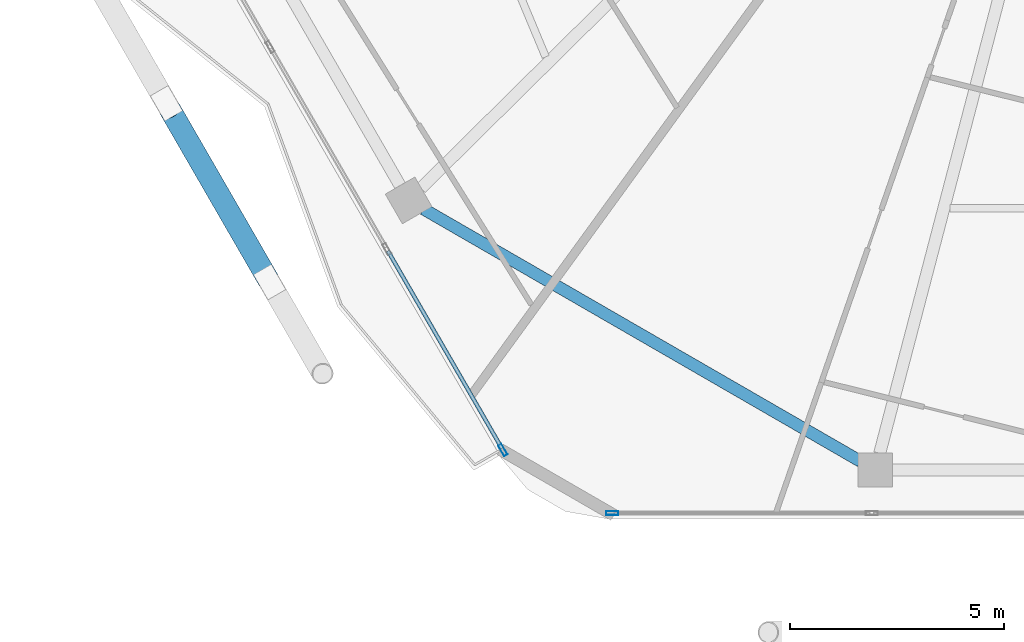
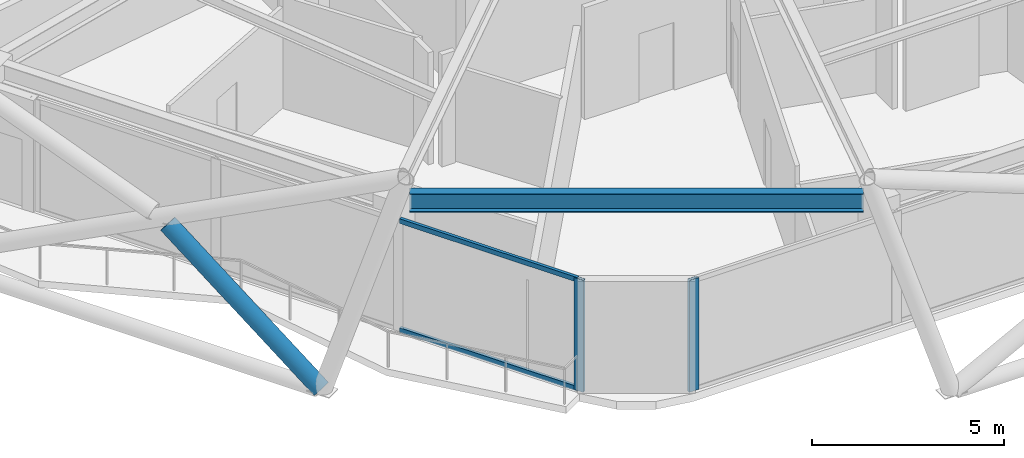
# One storey, part 2 of 24: 5 members, 1 beam, 2 elements without a shape of their own.
"""IFC4 building model written with IfcOpenShell, lengths in metres."""

from ifc_helpers import new_model, si_unit, direction, frame, origin, origin_2d, place, context, subcontext, project, spatial, hollow_rectangle, hollow_circle, i_section, extrude, material, material_profile, profile_set, type_object, element, aggregate, save


model = new_model("IFC4")

# Units and contexts
model_context = context("Model", 3, precision=1e-05, world=origin(), true_north=direction((0.0, 1.0)))
body_context = subcontext(model_context, "Body", "Model", "MODEL_VIEW")
ifc_project = project(units=[si_unit("LENGTHUNIT", "METRE"), si_unit("AREAUNIT", "SQUARE_METRE"), si_unit("VOLUMEUNIT", "CUBIC_METRE"), si_unit("PLANEANGLEUNIT", "RADIAN"), si_unit("MASSUNIT", "GRAM", prefix="KILO")], contexts=[model_context])

# Site, building, storey
site_placement = place(None, origin())
site = spatial("IfcSite", under=ifc_project, at=site_placement, CompositionType="ELEMENT")
building_placement = place(site_placement, origin())
building = spatial("IfcBuilding", under=site, at=building_placement, Name="Zuhravey Tower", CompositionType="ELEMENT")
storey_placement = place(building_placement, frame((0.0, 0.0, 308.199951171875)))
storey = spatial("IfcBuildingStorey", under=building, at=storey_placement, Name="L78", CompositionType="ELEMENT", Elevation=308.199951171875)

# Curtain wall, member
ifc_material_1 = material(Name="Thermally broken anodised aluminium", Category="aluminium")
curtain_wall_type = type_object("IfcCurtainWallType", Name="Zone 3-4 High-Rise Curtain Wall CW4", PredefinedType="NOTDEFINED", material=ifc_material_1)
curtain_wall_1_placement = place(storey_placement, origin())
curtain_wall_1 = element("IfcCurtainWall", 1, at=curtain_wall_1_placement, inside=storey, type_object=curtain_wall_type, Name="L78 CW4 CW-L78-F5-1", PredefinedType="NOTDEFINED")
ifc_material_2 = material(Name="Anodised aluminium", Category="aluminium")
ifc_material_profile_1 = material_profile(ifc_material_2, hollow_rectangle(XDim=0.090087890625, YDim=0.284912109375, WallThickness=0.0048828125, at=origin_2d()), Name="ALU-RHS-90x285x5")
ifc_profile_set_1 = profile_set([ifc_material_profile_1], Name="Anodised aluminium")
member_type_1 = type_object("IfcMemberType", Name="Curtain-Wall Mullion 90x180", PredefinedType="MULLION", material=ifc_profile_set_1)
member_1_placement = place(storey_placement, frame((23.8056640625, 7.92578125, 0.0), z_axis=(0.0, 0.0, 1.0), x_axis=(0.0, -1.0, 0.0)))
member_1 = element("IfcMember", 2, at=member_1_placement, type_object=member_type_1, Name="CW4 mullion 5", PredefinedType="MULLION", context=body_context, shape_type="SweptSolid", body=[
    extrude(hollow_rectangle(XDim=0.090087890625, YDim=0.284912109375, WallThickness=0.0048828125, at=origin_2d()), origin(), (0.0, 0.0, 1.0), 3.550048828125),
])
aggregate(curtain_wall_1, [member_1])

# Curtain wall, members
curtain_wall_2_placement = place(storey_placement, origin())
curtain_wall_2 = element("IfcCurtainWall", 3, at=curtain_wall_2_placement, inside=storey, type_object=curtain_wall_type, Name="L78 CW4 CW-L78-F4-1", PredefinedType="NOTDEFINED")
member_2_placement = place(storey_placement, frame((21.248291015625, 9.40234375, 0.0), z_axis=(0.0, 0.0, 1.0), x_axis=(-0.866026127729, -0.49999874609, 0.0)))
member_2 = element("IfcMember", 4, at=member_2_placement, type_object=member_type_1, Name="CW4 mullion 1", PredefinedType="MULLION", context=body_context, shape_type="SweptSolid", body=[
    extrude(hollow_rectangle(XDim=0.090087890625, YDim=0.284912109375, WallThickness=0.0048828125, at=origin_2d()), origin(), (0.0, 0.0, 1.0), 3.550048828125),
])
ifc_material_profile_2 = material_profile(ifc_material_2, hollow_rectangle(XDim=0.090087890625, YDim=0.14990234375, WallThickness=0.0048828125, at=origin_2d()), Name="ALU-RHS-90x150x5")
ifc_profile_set_2 = profile_set([ifc_material_profile_2], Name="Anodised aluminium")
member_type_2 = type_object("IfcMemberType", Name="Curtain-Wall Transom 90x150", PredefinedType="USERDEFINED", material=ifc_profile_set_2)
member_3_placement = place(storey_placement, frame((21.225830078125, 9.44140625, 0.045166015625), z_axis=(-0.499981487958, 0.866036091453, 0.0), x_axis=(-0.866036091453, -0.499981487958, 0.0)))
member_3 = element("IfcMember", 5, at=member_3_placement, type_object=member_type_2, Name="CW4 transom 1.1", ObjectType="TRANSOM", PredefinedType="USERDEFINED", context=body_context, shape_type="SweptSolid", body=[
    extrude(hollow_rectangle(XDim=0.090087890625, YDim=0.14990234375, WallThickness=0.0048828125, at=origin_2d()), origin(), (0.0, 0.0, 1.0), 5.330322265625),
])
member_4_placement = place(storey_placement, frame((21.225830078125, 9.44140625, 3.505126953125), z_axis=(-0.499981487958, 0.866036091453, 0.0), x_axis=(-0.866036091453, -0.499981487958, 0.0)))
member_4 = element("IfcMember", 6, at=member_4_placement, type_object=member_type_2, Name="CW4 transom 1.2", ObjectType="TRANSOM", PredefinedType="USERDEFINED", context=body_context, shape_type="SweptSolid", body=[
    extrude(hollow_rectangle(XDim=0.090087890625, YDim=0.14990234375, WallThickness=0.0048828125, at=origin_2d()), origin(), (0.0, 0.0, 1.0), 5.330322265625),
])
aggregate(curtain_wall_2, [member_2, member_3, member_4])

# Member
ifc_material_3 = material(Name="Steel SM355", Category="steel")
ifc_material_profile_3 = material_profile(ifc_material_3, hollow_circle(Radius=0.25390625, WallThickness=0.02490234375, at=origin_2d()), Name="CHS-508.0x25")
ifc_profile_set_3 = profile_set([ifc_material_profile_3], Name="Steel SM355")
member_type_3 = type_object("IfcMemberType", Name="Exoskeleton Zone 4 Diagrid CHS508x25", PredefinedType="BRACE", material=ifc_profile_set_3)
member_5_placement = place(storey_placement, frame((15.781005859375, 13.35205078125, -0.4423828125), z_axis=(-0.392816281446, 0.680465215045, 0.618597171142), x_axis=(-0.866053230054, -0.499951800389, 0.0)))
element("IfcMember", 7, at=member_5_placement, inside=storey, type_object=member_type_3, Name="L78 Face 4 Split Diagrid Brace 3A", PredefinedType="BRACE", context=body_context, shape_type="SweptSolid", body=[
    extrude(hollow_circle(Radius=0.25390625, WallThickness=0.02490234375, at=origin_2d()), origin(), (0.0, 0.0, 1.0), 5.864013671875),
])

# Beam
ifc_material_profile_4 = material_profile(ifc_material_3, i_section(OverallWidth=0.280029296875, OverallDepth=0.580078125, WebThickness=0.011962890625, FlangeThickness=0.01904296875, at=origin_2d()), Name="H-580x280x12x19")
ifc_profile_set_4 = profile_set([ifc_material_profile_4], Name="Steel SM355")
beam_type = type_object("IfcBeamType", Name="Perimeter Ring Beam H580x280", PredefinedType="BEAM", material=ifc_profile_set_4)
beam_placement = place(storey_placement, frame((19.394287109375, 15.036865234375, 3.260009765625), z_axis=(0.866023977509, -0.500002470373, 0.0), x_axis=(0.500002470373, 0.866023977509, 0.0)))
element("IfcBeam", 8, at=beam_placement, inside=storey, type_object=beam_type, Name="L78 PB4 BM-L78-PB-08", PredefinedType="BEAM", context=body_context, shape_type="SweptSolid", body=[
    extrude(i_section(OverallWidth=0.280029296875, OverallDepth=0.580078125, WebThickness=0.011962890625, FlangeThickness=0.01904296875, at=origin_2d()), origin(), (0.0, 0.0, 1.0), 11.798828125),
])

save(model, "model.ifc")
